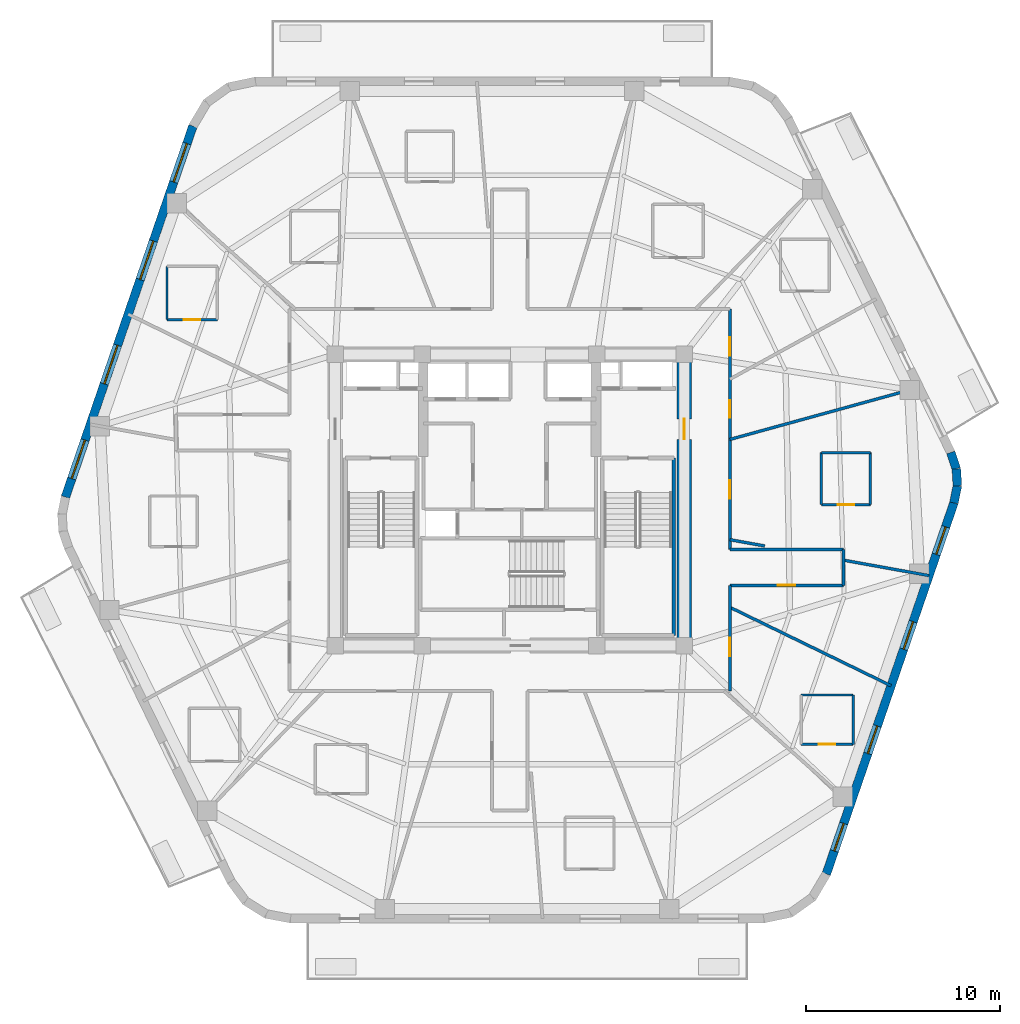
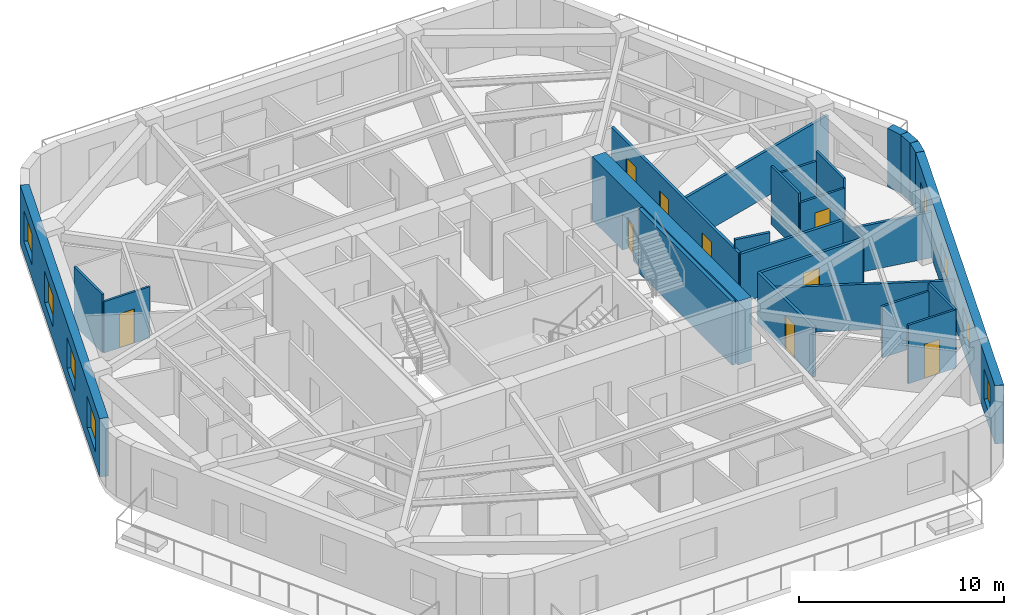
# One storey, part 5 of 10: 25 walls, 9 doors, 8 windows, 17 openings.
"""IFC4 building model written with IfcOpenShell, lengths in metres."""

from ifc_helpers import new_model, si_unit, direction, frame, frame_2d, origin, place, context, subcontext, project, spatial, rectangle, extrude, material, layer, layer_set, type_object, element, fill, save


model = new_model("IFC4")

# Units and contexts
model_context = context("Model", 3, precision=1e-05, world=origin(), true_north=direction((0.0, 1.0)))
body_context = subcontext(model_context, "Body", "Model", "MODEL_VIEW")
ifc_project = project(units=[si_unit("LENGTHUNIT", "METRE"), si_unit("AREAUNIT", "SQUARE_METRE"), si_unit("VOLUMEUNIT", "CUBIC_METRE"), si_unit("PLANEANGLEUNIT", "RADIAN"), si_unit("MASSUNIT", "GRAM", prefix="KILO")], contexts=[model_context])

# Site, building, storey
site_placement = place(None, origin())
site = spatial("IfcSite", under=ifc_project, at=site_placement, CompositionType="ELEMENT")
building_placement = place(site_placement, origin())
building = spatial("IfcBuilding", under=site, at=building_placement, Name="Kilnhurst Terrace Hotel", CompositionType="ELEMENT")
storey_placement = place(building_placement, frame((0.0, 0.0, 252.10009765625)))
storey = spatial("IfcBuildingStorey", under=building, at=storey_placement, Name="L63", CompositionType="ELEMENT", Elevation=252.10009765625)

# Walls
ifc_material_1 = material(Name="Precast concrete C40/50", Category="concrete")
ifc_layer_1 = layer(ifc_material_1, 0.449951171875, Name="Precast concrete C40/50")
ifc_layer_set_1 = layer_set([ifc_layer_1], Name="Precast concrete C40/50")
wall_type_1 = type_object("IfcWallType", Name="WL-BRK-450", PredefinedType="SOLIDWALL", material=ifc_layer_set_1)
wall_1_placement = place(storey_placement, frame((22.8984375, -0.149658203125, 0.0), z_axis=(0.0, 0.0, 1.0), x_axis=(0.199055826889, 0.979988151858, 0.0)))
element("IfcWall", 1, at=wall_1_placement, inside=storey, type_object=wall_type_1, Name="L63 Rounded Corner Brick Wall C3.1", PredefinedType="SOLIDWALL", context=body_context, shape_type="SweptSolid", body=[
    extrude(rectangle(XDim=0.89404296875, YDim=0.449951171875, at=frame_2d((0.447021484375, 0.0))), origin(), (0.0, 0.0, 1.0), 3.47998046875),
])
wall_2_placement = place(storey_placement, frame((23.076416015625, 0.7265625, 0.0), z_axis=(0.0, 0.0, 1.0), x_axis=(-0.060805222108, 0.998149650586, 0.0)))
element("IfcWall", 2, at=wall_2_placement, inside=storey, type_object=wall_type_1, Name="L63 Rounded Corner Brick Wall C3.2", PredefinedType="SOLIDWALL", context=body_context, shape_type="SweptSolid", body=[
    extrude(rectangle(XDim=0.87939453125, YDim=0.449951171875, at=frame_2d((0.439697265625, 0.0))), origin(), (0.0, 0.0, 1.0), 3.47998046875),
])
wall_3_placement = place(storey_placement, frame((23.02294921875, 1.604248046875, 0.0), z_axis=(0.0, 0.0, 1.0), x_axis=(-0.316801227695, 0.948491951537, 0.0)))
element("IfcWall", 3, at=wall_3_placement, inside=storey, type_object=wall_type_1, Name="L63 Rounded Corner Brick Wall C3.3", PredefinedType="SOLIDWALL", context=body_context, shape_type="SweptSolid", body=[
    extrude(rectangle(XDim=0.89404296875, YDim=0.449951171875, at=frame_2d((0.447021484375, 0.0))), origin(), (0.0, 0.0, 1.0), 3.47998046875),
])

# Wall, openings, windows
wall_4_placement = place(storey_placement, frame((16.323974609375, -19.275146484375, 0.0), z_axis=(0.0, 0.0, 1.0), x_axis=(0.325083142304, 0.945685439557, 0.0)))
wall_4 = element("IfcWall", 4, at=wall_4_placement, inside=storey, type_object=wall_type_1, Name="L63 Exterior Brick Facade Wall F2", PredefinedType="SOLIDWALL", context=body_context, shape_type="SweptSolid", body=[
    extrude(rectangle(XDim=20.223876953125, YDim=0.449951171875, at=frame_2d((10.11181640625, 0.0))), origin(), (0.0, 0.0, 1.0), 3.47998046875),
])
opening_1_placement = place(wall_4_placement, frame((1.2529296875, 0.0, 0.800048828125)))
opening_1 = element("IfcOpeningElement", 5, at=opening_1_placement, cuts=wall_4, Name="Opening W-02", PredefinedType="OPENING", context=body_context, shape_type="SweptSolid", body=[
    extrude(rectangle(XDim=1.5, YDim=1.800048828125, at=frame_2d((0.75, 0.89990234375))), frame((0.0, 0.23486328125, 0.0), z_axis=(0.0, -1.0, 0.0), x_axis=(1.0, 0.0, 0.0)), (0.0, 0.0, 1.0), 0.469970703125),
])
opening_2_placement = place(wall_4_placement, frame((6.568115234375, 0.0, 0.800048828125)))
opening_2 = element("IfcOpeningElement", 6, at=opening_2_placement, cuts=wall_4, Name="Opening W-02", PredefinedType="OPENING", context=body_context, shape_type="SweptSolid", body=[
    extrude(rectangle(XDim=1.5, YDim=1.800048828125, at=frame_2d((0.75, 0.89990234375))), frame((0.0, 0.23486328125, 0.0), z_axis=(0.0, -1.0, 0.0), x_axis=(1.0, 0.0, 0.0)), (0.0, 0.0, 1.0), 0.469970703125),
])
opening_3_placement = place(wall_4_placement, frame((12.25, 0.0, 0.800048828125)))
opening_3 = element("IfcOpeningElement", 7, at=opening_3_placement, cuts=wall_4, Name="Opening W-02", PredefinedType="OPENING", context=body_context, shape_type="SweptSolid", body=[
    extrude(rectangle(XDim=1.5, YDim=1.800048828125, at=frame_2d((0.75, 0.89990234375))), frame((0.0, 0.23486328125, 0.0), z_axis=(0.0, -1.0, 0.0), x_axis=(1.0, 0.0, 0.0)), (0.0, 0.0, 1.0), 0.469970703125),
])
opening_4_placement = place(wall_4_placement, frame((17.41796875, 0.0, 0.800048828125)))
opening_4 = element("IfcOpeningElement", 8, at=opening_4_placement, cuts=wall_4, Name="Opening W-02", PredefinedType="OPENING", context=body_context, shape_type="SweptSolid", body=[
    extrude(rectangle(XDim=1.5, YDim=1.800048828125, at=frame_2d((0.75, 0.89990234375))), frame((0.0, 0.23486328125, 0.0), z_axis=(0.0, -1.0, 0.0), x_axis=(1.0, 0.0, 0.0)), (0.0, 0.0, 1.0), 0.469970703125),
])
ifc_material_2 = material(Name="Thermally Broken Bronze Aluminium Alloy 6063-T6 and Low-E Glass", Category="aluminium")
window_type_1 = type_object("IfcWindowType", Name="WIN-1500X1800", PartitioningType="SINGLE_PANEL", PredefinedType="WINDOW", material=ifc_material_2)
window_1_placement = place(opening_1_placement, origin())
window_1 = element("IfcWindow", 9, at=window_1_placement, inside=storey, type_object=window_type_1, Name="L63 Deep-Set Masonry Window F2.1", OverallHeight=1.800048828125, OverallWidth=1.5, PartitioningType="SINGLE_PANEL", PredefinedType="WINDOW", context=body_context, shape_type="SweptSolid", body=[
    extrude(rectangle(XDim=1.5, YDim=1.800048828125, at=frame_2d((0.75, 0.89990234375))), frame((0.0, 0.030029296875, 0.0), z_axis=(0.0, -1.0, 0.0), x_axis=(1.0, 0.0, 0.0)), (0.0, 0.0, 1.0), 0.06005859375),
])
fill(opening_1, window_1)
window_2_placement = place(opening_2_placement, origin())
window_2 = element("IfcWindow", 10, at=window_2_placement, inside=storey, type_object=window_type_1, Name="L63 Deep-Set Masonry Window F2.2", OverallHeight=1.800048828125, OverallWidth=1.5, PartitioningType="SINGLE_PANEL", PredefinedType="WINDOW", context=body_context, shape_type="SweptSolid", body=[
    extrude(rectangle(XDim=1.5, YDim=1.800048828125, at=frame_2d((0.75, 0.89990234375))), frame((0.0, 0.030029296875, 0.0), z_axis=(0.0, -1.0, 0.0), x_axis=(1.0, 0.0, 0.0)), (0.0, 0.0, 1.0), 0.06005859375),
])
fill(opening_2, window_2)
window_3_placement = place(opening_3_placement, origin())
window_3 = element("IfcWindow", 11, at=window_3_placement, inside=storey, type_object=window_type_1, Name="L63 Deep-Set Masonry Window F2.3", OverallHeight=1.800048828125, OverallWidth=1.5, PartitioningType="SINGLE_PANEL", PredefinedType="WINDOW", context=body_context, shape_type="SweptSolid", body=[
    extrude(rectangle(XDim=1.5, YDim=1.800048828125, at=frame_2d((0.75, 0.89990234375))), frame((0.0, 0.030029296875, 0.0), z_axis=(0.0, -1.0, 0.0), x_axis=(1.0, 0.0, 0.0)), (0.0, 0.0, 1.0), 0.06005859375),
])
fill(opening_3, window_3)
window_4_placement = place(opening_4_placement, origin())
window_4 = element("IfcWindow", 12, at=window_4_placement, inside=storey, type_object=window_type_1, Name="L63 Deep-Set Masonry Window F2.4", OverallHeight=1.800048828125, OverallWidth=1.5, PartitioningType="SINGLE_PANEL", PredefinedType="WINDOW", context=body_context, shape_type="SweptSolid", body=[
    extrude(rectangle(XDim=1.5, YDim=1.800048828125, at=frame_2d((0.75, 0.89990234375))), frame((0.0, 0.030029296875, 0.0), z_axis=(0.0, -1.0, 0.0), x_axis=(1.0, 0.0, 0.0)), (0.0, 0.0, 1.0), 0.06005859375),
])
fill(opening_4, window_4)

wall_5_placement = place(storey_placement, frame((-16.323974609375, 19.275146484375, 0.0), z_axis=(0.0, 0.0, 1.0), x_axis=(-0.325083142304, -0.945685439557, 0.0)))
wall_5 = element("IfcWall", 13, at=wall_5_placement, inside=storey, type_object=wall_type_1, Name="L63 Exterior Brick Facade Wall F5", PredefinedType="SOLIDWALL", context=body_context, shape_type="SweptSolid", body=[
    extrude(rectangle(XDim=20.223876953125, YDim=0.449951171875, at=frame_2d((10.11181640625, 0.0))), origin(), (0.0, 0.0, 1.0), 3.47998046875),
])
opening_5_placement = place(wall_5_placement, frame((0.952880859375, 0.0, 0.800048828125)))
opening_5 = element("IfcOpeningElement", 14, at=opening_5_placement, cuts=wall_5, Name="Opening W-04", PredefinedType="OPENING", context=body_context, shape_type="SweptSolid", body=[
    extrude(rectangle(XDim=2.10009765625, YDim=1.85009765625, at=frame_2d((1.050048828125, 0.925048828125))), frame((0.0, 0.23486328125, 0.0), z_axis=(0.0, -1.0, 0.0), x_axis=(1.0, 0.0, 0.0)), (0.0, 0.0, 1.0), 0.469970703125),
])
opening_6_placement = place(wall_5_placement, frame((6.26806640625, 0.0, 0.800048828125)))
opening_6 = element("IfcOpeningElement", 15, at=opening_6_placement, cuts=wall_5, Name="Opening W-04", PredefinedType="OPENING", context=body_context, shape_type="SweptSolid", body=[
    extrude(rectangle(XDim=2.10009765625, YDim=1.85009765625, at=frame_2d((1.050048828125, 0.925048828125))), frame((0.0, 0.23486328125, 0.0), z_axis=(0.0, -1.0, 0.0), x_axis=(1.0, 0.0, 0.0)), (0.0, 0.0, 1.0), 0.469970703125),
])
opening_7_placement = place(wall_5_placement, frame((11.949951171875, 0.0, 0.800048828125)))
opening_7 = element("IfcOpeningElement", 16, at=opening_7_placement, cuts=wall_5, Name="Opening W-04", PredefinedType="OPENING", context=body_context, shape_type="SweptSolid", body=[
    extrude(rectangle(XDim=2.10009765625, YDim=1.85009765625, at=frame_2d((1.050048828125, 0.925048828125))), frame((0.0, 0.23486328125, 0.0), z_axis=(0.0, -1.0, 0.0), x_axis=(1.0, 0.0, 0.0)), (0.0, 0.0, 1.0), 0.469970703125),
])
opening_8_placement = place(wall_5_placement, frame((17.117919921875, 0.0, 0.800048828125)))
opening_8 = element("IfcOpeningElement", 17, at=opening_8_placement, cuts=wall_5, Name="Opening W-04", PredefinedType="OPENING", context=body_context, shape_type="SweptSolid", body=[
    extrude(rectangle(XDim=2.10009765625, YDim=1.85009765625, at=frame_2d((1.050048828125, 0.925048828125))), frame((0.0, 0.23486328125, 0.0), z_axis=(0.0, -1.0, 0.0), x_axis=(1.0, 0.0, 0.0)), (0.0, 0.0, 1.0), 0.469970703125),
])
window_type_2 = type_object("IfcWindowType", Name="WIN-2100X1850", PartitioningType="SINGLE_PANEL", PredefinedType="WINDOW", material=ifc_material_2)
window_5_placement = place(opening_5_placement, origin())
window_5 = element("IfcWindow", 18, at=window_5_placement, inside=storey, type_object=window_type_2, Name="L63 Deep-Set Masonry Window F5.1", OverallHeight=1.85009765625, OverallWidth=2.10009765625, PartitioningType="SINGLE_PANEL", PredefinedType="WINDOW", context=body_context, shape_type="SweptSolid", body=[
    extrude(rectangle(XDim=2.10009765625, YDim=1.85009765625, at=frame_2d((1.050048828125, 0.925048828125))), frame((0.0, 0.030029296875, 0.0), z_axis=(0.0, -1.0, 0.0), x_axis=(1.0, 0.0, 0.0)), (0.0, 0.0, 1.0), 0.06005859375),
])
fill(opening_5, window_5)
window_6_placement = place(opening_6_placement, origin())
window_6 = element("IfcWindow", 19, at=window_6_placement, inside=storey, type_object=window_type_2, Name="L63 Deep-Set Masonry Window F5.2", OverallHeight=1.85009765625, OverallWidth=2.10009765625, PartitioningType="SINGLE_PANEL", PredefinedType="WINDOW", context=body_context, shape_type="SweptSolid", body=[
    extrude(rectangle(XDim=2.10009765625, YDim=1.85009765625, at=frame_2d((1.050048828125, 0.925048828125))), frame((0.0, 0.030029296875, 0.0), z_axis=(0.0, -1.0, 0.0), x_axis=(1.0, 0.0, 0.0)), (0.0, 0.0, 1.0), 0.06005859375),
])
fill(opening_6, window_6)
window_7_placement = place(opening_7_placement, origin())
window_7 = element("IfcWindow", 20, at=window_7_placement, inside=storey, type_object=window_type_2, Name="L63 Deep-Set Masonry Window F5.3", OverallHeight=1.85009765625, OverallWidth=2.10009765625, PartitioningType="SINGLE_PANEL", PredefinedType="WINDOW", context=body_context, shape_type="SweptSolid", body=[
    extrude(rectangle(XDim=2.10009765625, YDim=1.85009765625, at=frame_2d((1.050048828125, 0.925048828125))), frame((0.0, 0.030029296875, 0.0), z_axis=(0.0, -1.0, 0.0), x_axis=(1.0, 0.0, 0.0)), (0.0, 0.0, 1.0), 0.06005859375),
])
fill(opening_7, window_7)
window_8_placement = place(opening_8_placement, origin())
window_8 = element("IfcWindow", 21, at=window_8_placement, inside=storey, type_object=window_type_2, Name="L63 Deep-Set Masonry Window F5.4", OverallHeight=1.85009765625, OverallWidth=2.10009765625, PartitioningType="SINGLE_PANEL", PredefinedType="WINDOW", context=body_context, shape_type="SweptSolid", body=[
    extrude(rectangle(XDim=2.10009765625, YDim=1.85009765625, at=frame_2d((1.050048828125, 0.925048828125))), frame((0.0, 0.030029296875, 0.0), z_axis=(0.0, -1.0, 0.0), x_axis=(1.0, 0.0, 0.0)), (0.0, 0.0, 1.0), 0.06005859375),
])
fill(opening_8, window_8)

# Wall, openings, doors
ifc_material_3 = material(Name="Acoustic Double-Gypsum Corridor Partition Assembly")
ifc_layer_2 = layer(ifc_material_3, 0.14990234375, Name="Acoustic Double-Gypsum Corridor Partition Assembly")
ifc_layer_set_2 = layer_set([ifc_layer_2], Name="Acoustic Double-Gypsum Corridor Partition Assembly")
wall_type_2 = type_object("IfcWallType", Name="WL-COR-150", PredefinedType="PARTITIONING", material=ifc_layer_set_2)
wall_6_placement = place(storey_placement, frame((11.35009765625, 9.85009765625, 0.0), z_axis=(0.0, 0.0, 1.0), x_axis=(0.0, -1.0, 0.0)))
wall_6 = element("IfcWall", 22, at=wall_6_placement, inside=storey, type_object=wall_type_2, Name="L63 Interior Wall WL-L63-COR-11", PredefinedType="PARTITIONING", context=body_context, shape_type="SweptSolid", body=[
    extrude(rectangle(XDim=12.400146484375, YDim=0.14990234375, at=frame_2d((6.2001953125, 0.0))), origin(), (0.0, 0.0, 1.0), 2.969970703125),
])
opening_9_placement = place(wall_6_placement, frame((4.708984375, 0.0, 0.0)))
opening_9 = element("IfcOpeningElement", 23, at=opening_9_placement, cuts=wall_6, Name="Opening D-60C", PredefinedType="OPENING", context=body_context, shape_type="SweptSolid", body=[
    extrude(rectangle(XDim=0.89990234375, YDim=2.030029296875, at=frame_2d((0.449951171875, 1.01513671875))), frame((0.0, 0.0849609375, 0.0), z_axis=(0.0, -1.0, 0.0), x_axis=(1.0, 0.0, 0.0)), (0.0, 0.0, 1.0), 0.169921875),
])
opening_10_placement = place(wall_6_placement, frame((1.45703125, 0.0, 0.0)))
opening_10 = element("IfcOpeningElement", 24, at=opening_10_placement, cuts=wall_6, Name="Opening D-60B", PredefinedType="OPENING", context=body_context, shape_type="SweptSolid", body=[
    extrude(rectangle(XDim=0.949951171875, YDim=2.030029296875, at=frame_2d((0.47509765625, 1.01513671875))), frame((0.0, 0.0849609375, 0.0), z_axis=(0.0, -1.0, 0.0), x_axis=(1.0, 0.0, 0.0)), (0.0, 0.0, 1.0), 0.169921875),
])
opening_11_placement = place(wall_6_placement, frame((8.8349609375, 0.0, 0.0)))
opening_11 = element("IfcOpeningElement", 25, at=opening_11_placement, cuts=wall_6, Name="Opening D-60B", PredefinedType="OPENING", context=body_context, shape_type="SweptSolid", body=[
    extrude(rectangle(XDim=0.949951171875, YDim=2.030029296875, at=frame_2d((0.47509765625, 1.01513671875))), frame((0.0, 0.0849609375, 0.0), z_axis=(0.0, -1.0, 0.0), x_axis=(1.0, 0.0, 0.0)), (0.0, 0.0, 1.0), 0.169921875),
])
ifc_material_4 = material(Name="Painted Solid-Core Service Fire Door")
door_type_1 = type_object("IfcDoorType", Name="DR-FD60-900", OperationType="NOTDEFINED", PredefinedType="DOOR", material=ifc_material_4)
door_1_placement = place(opening_9_placement, origin())
door_1 = element("IfcDoor", 26, at=door_1_placement, inside=storey, type_object=door_type_1, Name="L63 Private Study Salon Door 1", OperationType="SINGLE_SWING_LEFT", OverallHeight=2.030029296875, OverallWidth=0.89990234375, PredefinedType="DOOR", context=body_context, shape_type="SweptSolid", body=[
    extrude(rectangle(XDim=0.89990234375, YDim=2.030029296875, at=frame_2d((0.449951171875, 1.01513671875))), frame((0.0, 0.02490234375, 0.0), z_axis=(0.0, -1.0, 0.0), x_axis=(1.0, 0.0, 0.0)), (0.0, 0.0, 1.0), 0.050048828125),
])
fill(opening_9, door_1)
ifc_material_5 = material(Name="Acoustic Walnut Veneer Solid-Core Fire Door")
door_type_2 = type_object("IfcDoorType", Name="DR-FD60-950", OperationType="NOTDEFINED", PredefinedType="DOOR", material=ifc_material_5)
door_2_placement = place(opening_10_placement, origin())
door_2 = element("IfcDoor", 27, at=door_2_placement, inside=storey, type_object=door_type_2, Name="L63 Guest Room Entry Door 2", OperationType="SINGLE_SWING_RIGHT", OverallHeight=2.030029296875, OverallWidth=0.949951171875, PredefinedType="DOOR", context=body_context, shape_type="SweptSolid", body=[
    extrude(rectangle(XDim=0.949951171875, YDim=2.030029296875, at=frame_2d((0.47509765625, 1.01513671875))), frame((0.0, 0.02490234375, 0.0), z_axis=(0.0, -1.0, 0.0), x_axis=(1.0, 0.0, 0.0)), (0.0, 0.0, 1.0), 0.050048828125),
])
fill(opening_10, door_2)
door_3_placement = place(opening_11_placement, origin())
door_3 = element("IfcDoor", 28, at=door_3_placement, inside=storey, type_object=door_type_2, Name="L63 Executive Suite Entry Door 18", OperationType="SINGLE_SWING_RIGHT", OverallHeight=2.030029296875, OverallWidth=0.949951171875, PredefinedType="DOOR", context=body_context, shape_type="SweptSolid", body=[
    extrude(rectangle(XDim=0.949951171875, YDim=2.030029296875, at=frame_2d((0.47509765625, 1.01513671875))), frame((0.0, 0.02490234375, 0.0), z_axis=(0.0, -1.0, 0.0), x_axis=(1.0, 0.0, 0.0)), (0.0, 0.0, 1.0), 0.050048828125),
])
fill(opening_11, door_3)

# Walls
wall_7_placement = place(storey_placement, frame((11.35009765625, -2.550048828125, 0.0), z_axis=(0.0, 0.0, 1.0), x_axis=(1.0, 0.0, 0.0)))
element("IfcWall", 29, at=wall_7_placement, inside=storey, type_object=wall_type_2, Name="L63 Interior Wall WL-L63-COR-12", PredefinedType="PARTITIONING", context=body_context, shape_type="SweptSolid", body=[
    extrude(rectangle(XDim=5.849853515625, YDim=0.14990234375, at=frame_2d((2.9248046875, 0.0))), origin(), (0.0, 0.0, 1.0), 2.92041015625),
])
wall_8_placement = place(storey_placement, frame((17.199951171875, -2.550048828125, 0.0), z_axis=(0.0, 0.0, 1.0), x_axis=(0.0, -1.0, 0.0)))
element("IfcWall", 30, at=wall_8_placement, inside=storey, type_object=wall_type_2, Name="L63 Interior Wall WL-L63-COR-13", PredefinedType="PARTITIONING", context=body_context, shape_type="SweptSolid", body=[
    extrude(rectangle(XDim=1.849853515625, YDim=0.14990234375, at=frame_2d((0.9248046875, 0.0))), origin(), (0.0, 0.0, 1.0), 2.92041015625),
])

# Wall, opening, door
wall_9_placement = place(storey_placement, frame((17.199951171875, -4.39990234375, 0.0), z_axis=(0.0, 0.0, 1.0), x_axis=(-1.0, 0.0, 0.0)))
wall_9 = element("IfcWall", 31, at=wall_9_placement, inside=storey, type_object=wall_type_2, Name="L63 Interior Wall WL-L63-COR-14", PredefinedType="PARTITIONING", context=body_context, shape_type="SweptSolid", body=[
    extrude(rectangle(XDim=5.849853515625, YDim=0.14990234375, at=frame_2d((2.9248046875, 0.0))), origin(), (0.0, 0.0, 1.0), 2.92041015625),
])
opening_12_placement = place(wall_9_placement, frame((2.47509765625, 0.0, 0.0)))
opening_12 = element("IfcOpeningElement", 32, at=opening_12_placement, cuts=wall_9, Name="Opening D-60C", PredefinedType="OPENING", context=body_context, shape_type="SweptSolid", body=[
    extrude(rectangle(XDim=0.89990234375, YDim=2.030029296875, at=frame_2d((0.449951171875, 1.01513671875))), frame((0.0, 0.0849609375, 0.0), z_axis=(0.0, -1.0, 0.0), x_axis=(1.0, 0.0, 0.0)), (0.0, 0.0, 1.0), 0.169921875),
])
door_4_placement = place(opening_12_placement, origin())
door_4 = element("IfcDoor", 33, at=door_4_placement, inside=storey, type_object=door_type_1, Name="L63 Private Tasting Dining Room Door 17", OperationType="SINGLE_SWING_LEFT", OverallHeight=2.030029296875, OverallWidth=0.89990234375, PredefinedType="DOOR", context=body_context, shape_type="SweptSolid", body=[
    extrude(rectangle(XDim=0.89990234375, YDim=2.030029296875, at=frame_2d((0.449951171875, 1.01513671875))), frame((0.0, 0.02490234375, 0.0), z_axis=(0.0, -1.0, 0.0), x_axis=(1.0, 0.0, 0.0)), (0.0, 0.0, 1.0), 0.050048828125),
])
fill(opening_12, door_4)

wall_10_placement = place(storey_placement, frame((11.35009765625, -4.39990234375, 0.0), z_axis=(0.0, 0.0, 1.0), x_axis=(0.0, -1.0, 0.0)))
wall_10 = element("IfcWall", 34, at=wall_10_placement, inside=storey, type_object=wall_type_2, Name="L63 Interior Wall WL-L63-COR-15", PredefinedType="PARTITIONING", context=body_context, shape_type="SweptSolid", body=[
    extrude(rectangle(XDim=5.4501953125, YDim=0.14990234375, at=frame_2d((2.72509765625, 0.0))), origin(), (0.0, 0.0, 1.0), 2.969970703125),
])
opening_13_placement = place(wall_10_placement, frame((2.694091796875, 0.0, 0.0)))
opening_13 = element("IfcOpeningElement", 35, at=opening_13_placement, cuts=wall_10, Name="Opening D-60B", PredefinedType="OPENING", context=body_context, shape_type="SweptSolid", body=[
    extrude(rectangle(XDim=0.949951171875, YDim=2.030029296875, at=frame_2d((0.47509765625, 1.01513671875))), frame((0.0, 0.0849609375, 0.0), z_axis=(0.0, -1.0, 0.0), x_axis=(1.0, 0.0, 0.0)), (0.0, 0.0, 1.0), 0.169921875),
])
door_5_placement = place(opening_13_placement, origin())
door_5 = element("IfcDoor", 36, at=door_5_placement, inside=storey, type_object=door_type_2, Name="L63 Guest Room Entry Door 16", OperationType="SINGLE_SWING_RIGHT", OverallHeight=2.030029296875, OverallWidth=0.949951171875, PredefinedType="DOOR", context=body_context, shape_type="SweptSolid", body=[
    extrude(rectangle(XDim=0.949951171875, YDim=2.030029296875, at=frame_2d((0.47509765625, 1.01513671875))), frame((0.0, 0.02490234375, 0.0), z_axis=(0.0, -1.0, 0.0), x_axis=(1.0, 0.0, 0.0)), (0.0, 0.0, 1.0), 0.050048828125),
])
fill(opening_13, door_5)

ifc_material_6 = material(Name="Concrete C60/75", Category="concrete")
ifc_layer_3 = layer(ifc_material_6, 0.75, Name="Concrete C60/75")
ifc_layer_set_3 = layer_set([ifc_layer_3], Name="Concrete C60/75")
wall_type_3 = type_object("IfcWallType", Name="WL-CORE-750", PredefinedType="SHEAR", material=ifc_layer_set_3)
wall_11_placement = place(storey_placement, frame((9.0, -7.125, 0.0), z_axis=(0.0, 0.0, 1.0), x_axis=(0.0, 1.0, 0.0)))
wall_11 = element("IfcWall", 37, at=wall_11_placement, inside=storey, type_object=wall_type_3, Name="L63 Core East Shear Wall", PredefinedType="SHEAR", context=body_context, shape_type="SweptSolid", body=[
    extrude(rectangle(XDim=14.25, YDim=0.75, at=frame_2d((7.125, 0.0))), origin(), (0.0, 0.0, 1.0), 3.7998046875),
])
opening_14_placement = place(wall_11_placement, frame((10.25, 0.0, 0.0)))
opening_14 = element("IfcOpeningElement", 38, at=opening_14_placement, cuts=wall_11, Name="Opening D-90A", PredefinedType="OPENING", context=body_context, shape_type="SweptSolid", body=[
    extrude(rectangle(XDim=1.050048828125, YDim=2.14990234375, at=frame_2d((0.52490234375, 1.074951171875))), frame((0.0, 0.385009765625, 0.0), z_axis=(0.0, -1.0, 0.0), x_axis=(1.0, 0.0, 0.0)), (0.0, 0.0, 1.0), 0.77001953125),
])
ifc_material_7 = material(Name="Painted Hollow Metal Steel ASTM A36 Fire Door", Category="steel")
door_type_3 = type_object("IfcDoorType", Name="DR-FD90-1050", OperationType="NOTDEFINED", PredefinedType="DOOR", material=ifc_material_7)
door_6_placement = place(opening_14_placement, origin())
door_6 = element("IfcDoor", 39, at=door_6_placement, inside=storey, type_object=door_type_3, Name="L63 East Firefighting Lobby Door", OperationType="SINGLE_SWING_LEFT", OverallHeight=2.14990234375, OverallWidth=1.050048828125, PredefinedType="DOOR", context=body_context, shape_type="SweptSolid", body=[
    extrude(rectangle(XDim=1.050048828125, YDim=2.14990234375, at=frame_2d((0.52490234375, 1.074951171875))), frame((0.0, 0.02490234375, 0.0), z_axis=(0.0, -1.0, 0.0), x_axis=(1.0, 0.0, 0.0)), (0.0, 0.0, 1.0), 0.050048828125),
])
fill(opening_14, door_6)

# Walls
ifc_material_8 = material(Name="STC-58 Acoustic Twin-Frame Guestroom Demising Partition")
ifc_layer_4 = layer(ifc_material_8, 0.14990234375, Name="STC-58 Acoustic Twin-Frame Guestroom Demising Partition")
ifc_layer_set_4 = layer_set([ifc_layer_4], Name="STC-58 Acoustic Twin-Frame Guestroom Demising Partition")
wall_type_4 = type_object("IfcWallType", Name="WL-DEM-150", PredefinedType="PARTITIONING", material=ifc_layer_set_4)
wall_12_placement = place(storey_placement, frame((11.35009765625, 3.12060546875, 0.0), z_axis=(0.0, 0.0, 1.0), x_axis=(0.964212793822, 0.265129568758, 0.0)))
element("IfcWall", 40, at=wall_12_placement, inside=storey, type_object=wall_type_4, Name="L63 Interior Wall WL-L63-DEM-COL01-01-1", PredefinedType="PARTITIONING", context=body_context, shape_type="SweptSolid", body=[
    extrude(rectangle(XDim=10.119873046875, YDim=0.14990234375, at=frame_2d((5.06005859375, 0.0))), origin(), (0.0, 0.0, 1.0), 2.719970703125),
])
wall_13_placement = place(storey_placement, frame((11.35009765625, -5.528076171875, 0.0), z_axis=(0.0, 0.0, 1.0), x_axis=(0.899038669565, -0.437869239188, 0.0)))
element("IfcWall", 41, at=wall_13_placement, inside=storey, type_object=wall_type_4, Name="L63 Interior Wall WL-L63-DEM-MID11-17-1", PredefinedType="PARTITIONING", context=body_context, shape_type="SweptSolid", body=[
    extrude(rectangle(XDim=9.24169921875, YDim=0.14990234375, at=frame_2d((4.620849609375, 0.0))), origin(), (0.0, 0.0, 1.0), 2.719970703125),
])
wall_14_placement = place(storey_placement, frame((11.35009765625, -2.046142578125, 0.0), z_axis=(0.0, 0.0, 1.0), x_axis=(0.984127783205, -0.177461281195, 0.0)))
element("IfcWall", 42, at=wall_14_placement, inside=storey, type_object=wall_type_4, Name="L63 Interior Wall WL-L63-DEM-COL12-18-1", PredefinedType="PARTITIONING", context=body_context, shape_type="SweptSolid", body=[
    extrude(rectangle(XDim=1.82568359375, YDim=0.14990234375, at=frame_2d((0.912841796875, 0.0))), origin(), (0.0, 0.0, 1.0), 3.47998046875),
])
wall_15_placement = place(storey_placement, frame((17.199951171875, -3.1005859375, 0.0), z_axis=(0.0, 0.0, 1.0), x_axis=(0.98413465883, -0.177423147559, 0.0)))
element("IfcWall", 43, at=wall_15_placement, inside=storey, type_object=wall_type_4, Name="L63 Interior Wall WL-L63-DEM-COL12-18-2", PredefinedType="PARTITIONING", context=body_context, shape_type="SweptSolid", body=[
    extrude(rectangle(XDim=4.481689453125, YDim=0.14990234375, at=frame_2d((2.24072265625, 0.0))), origin(), (0.0, 0.0, 1.0), 2.719970703125),
])

# Wall, opening, door
ifc_material_9 = material(Name="120 mm Moisture-Resistant Tile-Backed Bathroom Partition")
ifc_layer_5 = layer(ifc_material_9, 0.1201171875, Name="120 mm Moisture-Resistant Tile-Backed Bathroom Partition")
ifc_layer_set_5 = layer_set([ifc_layer_5], Name="120 mm Moisture-Resistant Tile-Backed Bathroom Partition")
wall_type_5 = type_object("IfcWallType", Name="WL-PART-120", PredefinedType="PARTITIONING", material=ifc_layer_set_5)
wall_16_placement = place(storey_placement, frame((-17.6640625, 9.2939453125, 0.0), z_axis=(0.0, 0.0, 1.0), x_axis=(1.0, 0.0, 0.0)))
wall_16 = element("IfcWall", 44, at=wall_16_placement, inside=storey, type_object=wall_type_5, Name="L63 Interior Wall WL-L63-BTH-07-1", PredefinedType="PARTITIONING", context=body_context, shape_type="SweptSolid", body=[
    extrude(rectangle(XDim=2.60009765625, YDim=0.1201171875, at=frame_2d((1.300048828125, 0.0))), origin(), (0.0, 0.0, 1.0), 3.05224609375),
])
opening_15_placement = place(wall_16_placement, frame((0.875, 0.0, 0.0)))
opening_15 = element("IfcOpeningElement", 45, at=opening_15_placement, cuts=wall_16, Name="Opening D-08A", PredefinedType="OPENING", context=body_context, shape_type="SweptSolid", body=[
    extrude(rectangle(XDim=0.85009765625, YDim=2.030029296875, at=frame_2d((0.425048828125, 1.01513671875))), frame((0.0, 0.070068359375, 0.0), z_axis=(0.0, -1.0, 0.0), x_axis=(1.0, 0.0, 0.0)), (0.0, 0.0, 1.0), 0.14013671875),
])
ifc_material_10 = material(Name="Moisture-Resistant Lacquered En-suite Bathroom Door")
door_type_4 = type_object("IfcDoorType", Name="DR-INT-850", OperationType="NOTDEFINED", PredefinedType="DOOR", material=ifc_material_10)
door_7_placement = place(opening_15_placement, origin())
door_7 = element("IfcDoor", 46, at=door_7_placement, inside=storey, type_object=door_type_4, Name="L63 En-suite Bathroom Door 7", OperationType="SINGLE_SWING_RIGHT", OverallHeight=2.030029296875, OverallWidth=0.85009765625, PredefinedType="DOOR", context=body_context, shape_type="SweptSolid", body=[
    extrude(rectangle(XDim=0.85009765625, YDim=2.030029296875, at=frame_2d((0.425048828125, 1.01513671875))), frame((0.0, 0.02490234375, 0.0), z_axis=(0.0, -1.0, 0.0), x_axis=(1.0, 0.0, 0.0)), (0.0, 0.0, 1.0), 0.050048828125),
])
fill(opening_15, door_7)

# Wall
wall_17_placement = place(storey_placement, frame((-17.6640625, 12.0439453125, 0.0), z_axis=(0.0, 0.0, 1.0), x_axis=(0.0, -1.0, 0.0)))
element("IfcWall", 47, at=wall_17_placement, inside=storey, type_object=wall_type_5, Name="L63 Interior Wall WL-L63-BTH-07-4", PredefinedType="PARTITIONING", context=body_context, shape_type="SweptSolid", body=[
    extrude(rectangle(XDim=2.75, YDim=0.1201171875, at=frame_2d((1.375, 0.0))), origin(), (0.0, 0.0, 1.0), 3.47998046875),
])

# Wall, opening, door
wall_18_placement = place(storey_placement, frame((15.02392578125, -12.589111328125, 0.0), z_axis=(0.0, 0.0, 1.0), x_axis=(1.0, 0.0, 0.0)))
wall_18 = element("IfcWall", 48, at=wall_18_placement, inside=storey, type_object=wall_type_5, Name="L63 Interior Wall WL-L63-BTH-16-1", PredefinedType="PARTITIONING", context=body_context, shape_type="SweptSolid", body=[
    extrude(rectangle(XDim=2.68017578125, YDim=0.1201171875, at=frame_2d((1.340087890625, 0.0))), origin(), (0.0, 0.0, 1.0), 3.47998046875),
])
opening_16_placement = place(wall_18_placement, frame((0.9150390625, 0.0, 0.0)))
opening_16 = element("IfcOpeningElement", 49, at=opening_16_placement, cuts=wall_18, Name="Opening D-08A", PredefinedType="OPENING", context=body_context, shape_type="SweptSolid", body=[
    extrude(rectangle(XDim=0.85009765625, YDim=2.030029296875, at=frame_2d((0.425048828125, 1.01513671875))), frame((0.0, 0.070068359375, 0.0), z_axis=(0.0, -1.0, 0.0), x_axis=(1.0, 0.0, 0.0)), (0.0, 0.0, 1.0), 0.14013671875),
])
door_8_placement = place(opening_16_placement, origin())
door_8 = element("IfcDoor", 50, at=door_8_placement, inside=storey, type_object=door_type_4, Name="L63 En-suite Bathroom Door 16", OperationType="SINGLE_SWING_LEFT", OverallHeight=2.030029296875, OverallWidth=0.85009765625, PredefinedType="DOOR", context=body_context, shape_type="SweptSolid", body=[
    extrude(rectangle(XDim=0.85009765625, YDim=2.030029296875, at=frame_2d((0.425048828125, 1.01513671875))), frame((0.0, 0.02490234375, 0.0), z_axis=(0.0, -1.0, 0.0), x_axis=(1.0, 0.0, 0.0)), (0.0, 0.0, 1.0), 0.050048828125),
])
fill(opening_16, door_8)

# Walls
wall_19_placement = place(storey_placement, frame((17.7041015625, -12.589111328125, 0.0), z_axis=(0.0, 0.0, 1.0), x_axis=(0.0, 1.0, 0.0)))
element("IfcWall", 51, at=wall_19_placement, inside=storey, type_object=wall_type_5, Name="L63 Interior Wall WL-L63-BTH-16-2", PredefinedType="PARTITIONING", context=body_context, shape_type="SweptSolid", body=[
    extrude(rectangle(XDim=2.5400390625, YDim=0.1201171875, at=frame_2d((1.27001953125, 0.0))), origin(), (0.0, 0.0, 1.0), 3.47998046875),
])
wall_20_placement = place(storey_placement, frame((17.7041015625, -10.049072265625, 0.0), z_axis=(0.0, 0.0, 1.0), x_axis=(-1.0, 0.0, 0.0)))
element("IfcWall", 52, at=wall_20_placement, inside=storey, type_object=wall_type_5, Name="L63 Interior Wall WL-L63-BTH-16-3", PredefinedType="PARTITIONING", context=body_context, shape_type="SweptSolid", body=[
    extrude(rectangle(XDim=2.68017578125, YDim=0.1201171875, at=frame_2d((1.340087890625, 0.0))), origin(), (0.0, 0.0, 1.0), 3.05224609375),
])

# Wall, opening, door
wall_21_placement = place(storey_placement, frame((16.06591796875, -0.239013671875, 0.0), z_axis=(0.0, 0.0, 1.0), x_axis=(1.0, 0.0, 0.0)))
wall_21 = element("IfcWall", 53, at=wall_21_placement, inside=storey, type_object=wall_type_5, Name="L63 Interior Wall WL-L63-BTH-18-1", PredefinedType="PARTITIONING", context=body_context, shape_type="SweptSolid", body=[
    extrude(rectangle(XDim=2.52001953125, YDim=0.1201171875, at=frame_2d((1.260009765625, 0.0))), origin(), (0.0, 0.0, 1.0), 2.92041015625),
])
opening_17_placement = place(wall_21_placement, frame((0.8349609375, 0.0, 0.0)))
opening_17 = element("IfcOpeningElement", 54, at=opening_17_placement, cuts=wall_21, Name="Opening D-08A", PredefinedType="OPENING", context=body_context, shape_type="SweptSolid", body=[
    extrude(rectangle(XDim=0.85009765625, YDim=2.030029296875, at=frame_2d((0.425048828125, 1.01513671875))), frame((0.0, 0.070068359375, 0.0), z_axis=(0.0, -1.0, 0.0), x_axis=(1.0, 0.0, 0.0)), (0.0, 0.0, 1.0), 0.14013671875),
])
door_9_placement = place(opening_17_placement, origin())
door_9 = element("IfcDoor", 55, at=door_9_placement, inside=storey, type_object=door_type_4, Name="L63 En-suite Bathroom Door 18", OperationType="SINGLE_SWING_LEFT", OverallHeight=2.030029296875, OverallWidth=0.85009765625, PredefinedType="DOOR", context=body_context, shape_type="SweptSolid", body=[
    extrude(rectangle(XDim=0.85009765625, YDim=2.030029296875, at=frame_2d((0.425048828125, 1.01513671875))), frame((0.0, 0.02490234375, 0.0), z_axis=(0.0, -1.0, 0.0), x_axis=(1.0, 0.0, 0.0)), (0.0, 0.0, 1.0), 0.050048828125),
])
fill(opening_17, door_9)

# Walls
wall_22_placement = place(storey_placement, frame((18.5859375, -0.239013671875, 0.0), z_axis=(0.0, 0.0, 1.0), x_axis=(0.0, 1.0, 0.0)))
element("IfcWall", 56, at=wall_22_placement, inside=storey, type_object=wall_type_5, Name="L63 Interior Wall WL-L63-BTH-18-2", PredefinedType="PARTITIONING", context=body_context, shape_type="SweptSolid", body=[
    extrude(rectangle(XDim=2.679931640625, YDim=0.1201171875, at=frame_2d((1.33984375, 0.0))), origin(), (0.0, 0.0, 1.0), 3.47998046875),
])
wall_23_placement = place(storey_placement, frame((18.5859375, 2.44091796875, 0.0), z_axis=(0.0, 0.0, 1.0), x_axis=(-1.0, 0.0, 0.0)))
element("IfcWall", 57, at=wall_23_placement, inside=storey, type_object=wall_type_5, Name="L63 Interior Wall WL-L63-BTH-18-3", PredefinedType="PARTITIONING", context=body_context, shape_type="SweptSolid", body=[
    extrude(rectangle(XDim=2.52001953125, YDim=0.1201171875, at=frame_2d((1.260009765625, 0.0))), origin(), (0.0, 0.0, 1.0), 2.92041015625),
])
wall_24_placement = place(storey_placement, frame((16.06591796875, 2.44091796875, 0.0), z_axis=(0.0, 0.0, 1.0), x_axis=(0.0, -1.0, 0.0)))
element("IfcWall", 58, at=wall_24_placement, inside=storey, type_object=wall_type_5, Name="L63 Interior Wall WL-L63-BTH-18-4", PredefinedType="PARTITIONING", context=body_context, shape_type="SweptSolid", body=[
    extrude(rectangle(XDim=2.679931640625, YDim=0.1201171875, at=frame_2d((1.33984375, 0.0))), origin(), (0.0, 0.0, 1.0), 3.47998046875),
])
ifc_material_11 = material(Name="Concrete C50/60", Category="concrete")
ifc_layer_6 = layer(ifc_material_11, 0.199951171875, Name="Concrete C50/60")
ifc_layer_set_6 = layer_set([ifc_layer_6], Name="Concrete C50/60")
wall_type_6 = type_object("IfcWallType", Name="WL-STAIR-RC-200", PredefinedType="SHEAR", material=ifc_layer_set_6)
wall_25_placement = place(storey_placement, frame((8.4580078125, -6.985107421875, 0.0), z_axis=(0.0, 0.0, 1.0), x_axis=(0.0, 1.0, 0.0)))
element("IfcWall", 59, at=wall_25_placement, inside=storey, type_object=wall_type_6, Name="L63 Structural Stair Shaft Wall WL-L63-ST2-E", PredefinedType="SHEAR", context=body_context, shape_type="SweptSolid", body=[
    extrude(rectangle(XDim=9.14306640625, YDim=0.199951171875, at=frame_2d((4.571533203125, 0.0))), origin(), (0.0, 0.0, 1.0), 3.7998046875),
])

save(model, "model.ifc")
